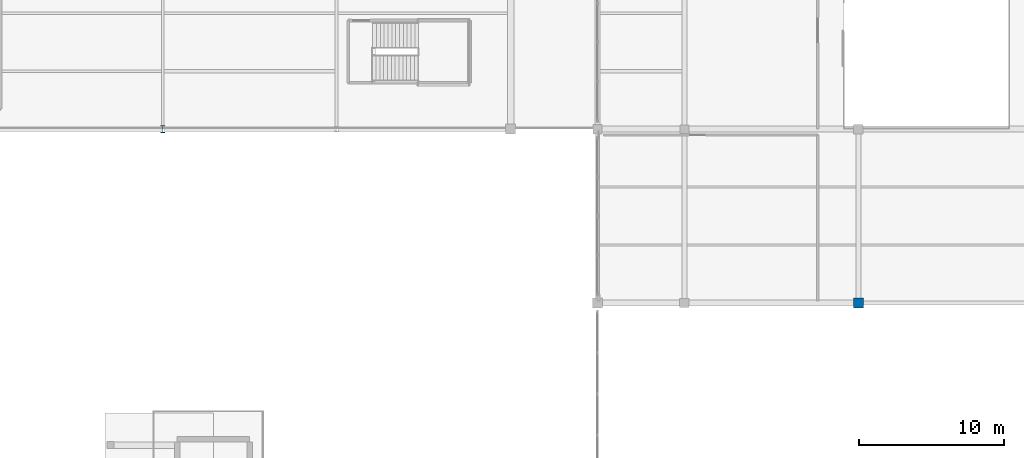
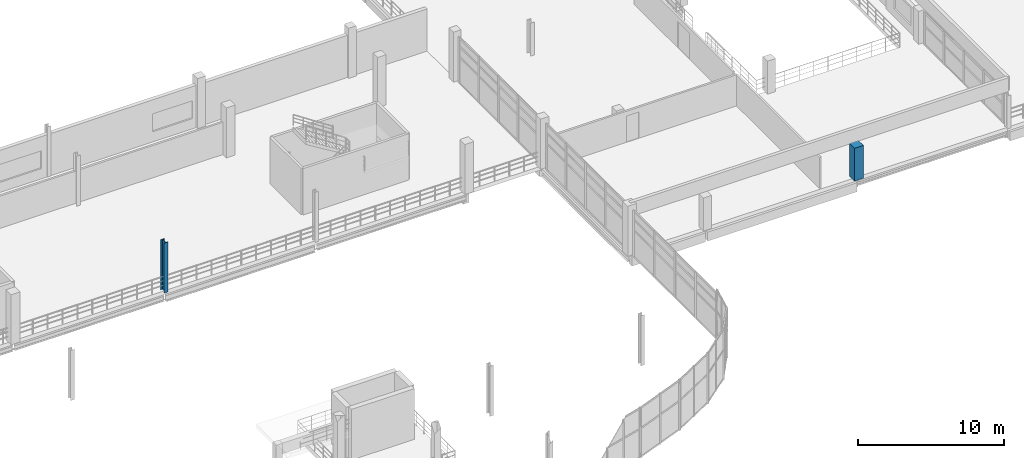
# One storey, part 17 of 89: 2 columns.
"""IFC4 building model written with IfcOpenShell, lengths in metres."""

from ifc_helpers import new_model, si_unit, direction, frame, origin, origin_2d, place, context, subcontext, project, spatial, rectangle, i_section, extrude, material, material_profile, profile_set, type_object, element, save


model = new_model("IFC4")

# Units and contexts
model_context = context("Model", 3, precision=1e-05, world=origin(), true_north=direction((0.0, 1.0)))
body_context = subcontext(model_context, "Body", "Model", "MODEL_VIEW")
ifc_project = project(units=[si_unit("LENGTHUNIT", "METRE"), si_unit("AREAUNIT", "SQUARE_METRE"), si_unit("VOLUMEUNIT", "CUBIC_METRE"), si_unit("PLANEANGLEUNIT", "RADIAN"), si_unit("MASSUNIT", "GRAM", prefix="KILO"), si_unit("THERMODYNAMICTEMPERATUREUNIT", "KELVIN"), si_unit("POWERUNIT", "WATT")], contexts=[model_context])

# Site, building, storey
site_placement = place(None, origin())
site = spatial("IfcSite", under=ifc_project, at=site_placement, CompositionType="ELEMENT")
building_placement = place(site_placement, origin())
building = spatial("IfcBuilding", under=site, at=building_placement, Name="Solmara Park Aquatics Centre", CompositionType="ELEMENT")
storey_placement = place(building_placement, frame((0.0, 0.0, 5.39990234375)))
storey = spatial("IfcBuildingStorey", under=building, at=storey_placement, Name="L01", CompositionType="ELEMENT", Elevation=5.39990234375)

# Columns
ifc_material_1 = material(Name="Structural Steel S355", Category="steel")
ifc_material_profile_1 = material_profile(ifc_material_1, i_section(OverallWidth=0.300048828125, OverallDepth=0.5, WebThickness=0.014404296875, FlangeThickness=0.028076171875, FilletRadius=0.027099609375, at=origin_2d()), Name="HEB 500")
ifc_profile_set_1 = profile_set([ifc_material_profile_1], Name="Structural Steel S355")
column_type_1 = type_object("IfcColumnType", Name="STR-COL-HEB500", PredefinedType="COLUMN", material=ifc_profile_set_1)
column_1_placement = place(storey_placement, frame((132.0, 36.60009765625, 0.0), z_axis=(0.0, 0.0, 1.0), x_axis=(1.0, 0.0, 0.0)))
element("IfcColumn", 1, at=column_1_placement, inside=storey, type_object=column_type_1, Name="Column L01-0418", PredefinedType="COLUMN", context=body_context, shape_type="SweptSolid", body=[
    extrude(i_section(OverallWidth=0.300048828125, OverallDepth=0.5, WebThickness=0.014404296875, FlangeThickness=0.028076171875, FilletRadius=0.027099609375, at=origin_2d()), origin(), (0.0, 0.0, 1.0), 4.2001953125),
])
ifc_material_2 = material(Name="Concrete C40/50", Category="concrete")
ifc_material_profile_2 = material_profile(ifc_material_2, rectangle(XDim=0.699951171875, YDim=0.699951171875, at=origin_2d()), Name="RC 700x700")
ifc_profile_set_2 = profile_set([ifc_material_profile_2], Name="Concrete C40/50")
column_type_2 = type_object("IfcColumnType", Name="STR-COL-RC700", PredefinedType="COLUMN", material=ifc_profile_set_2)
column_2_placement = place(storey_placement, frame((180.0, 24.60009765625, 0.0), z_axis=(0.0, 0.0, 1.0), x_axis=(1.0, 0.0, 0.0)))
element("IfcColumn", 2, at=column_2_placement, inside=storey, type_object=column_type_2, Name="Column L01-0451", PredefinedType="COLUMN", context=body_context, shape_type="SweptSolid", body=[
    extrude(rectangle(XDim=0.699951171875, YDim=0.699951171875, at=origin_2d()), origin(), (0.0, 0.0, 1.0), 2.760009765625),
])

save(model, "model.ifc")
